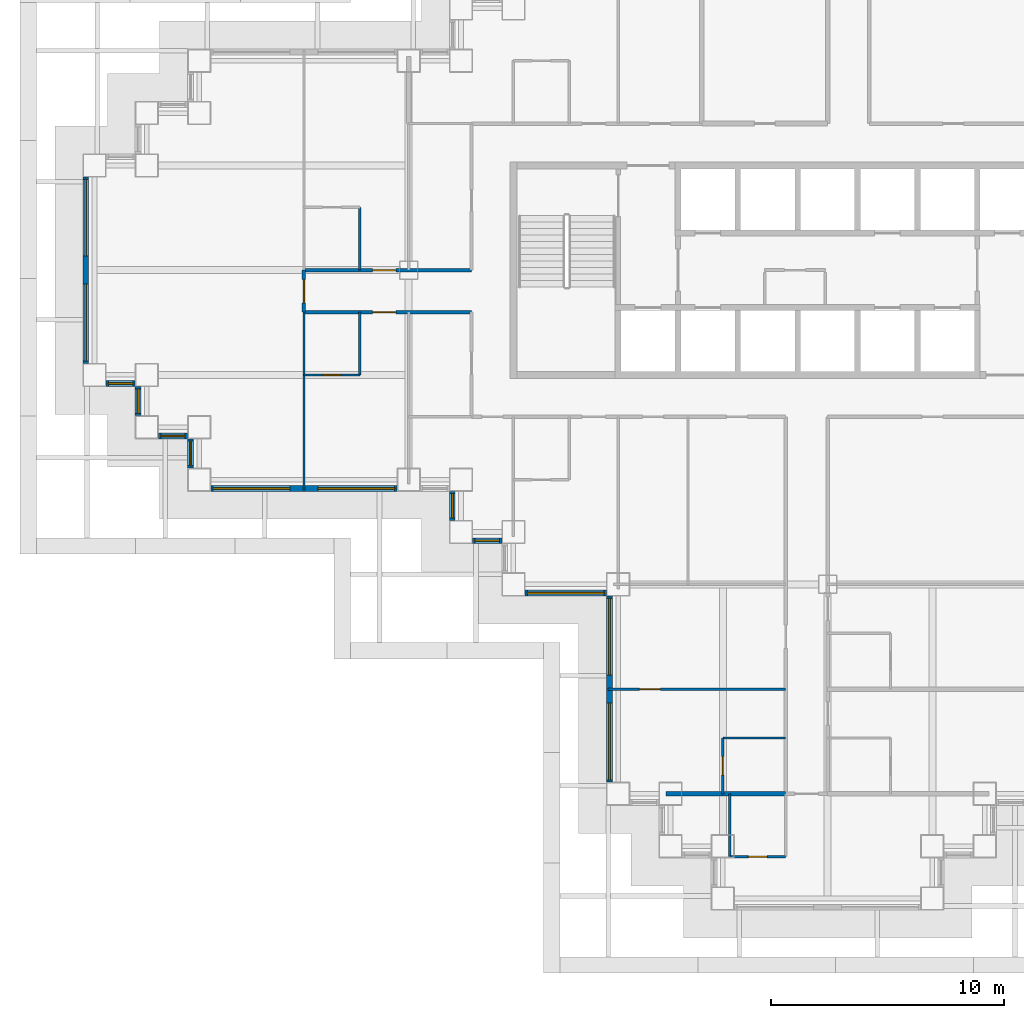
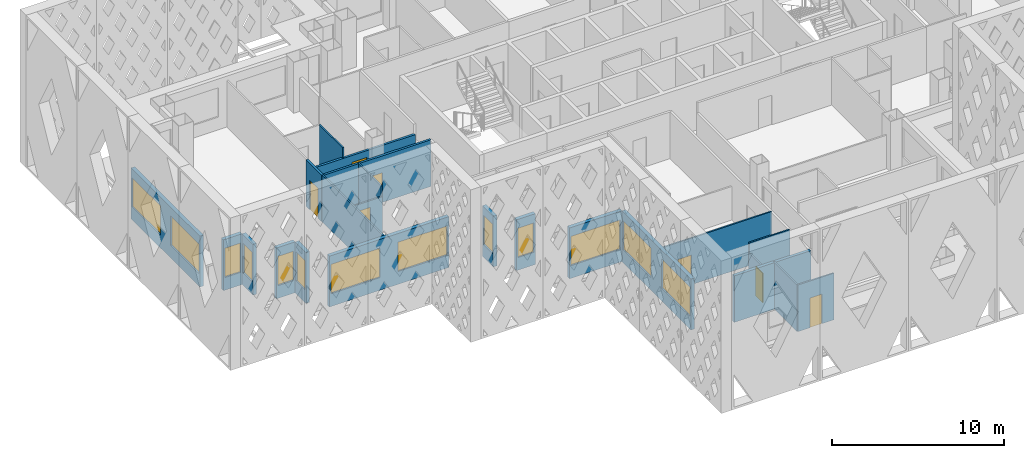
# One storey, part 3 of 19: 23 walls, 13 windows, 7 doors, 20 openings.
"""IFC4 building model written with IfcOpenShell, lengths in metres."""

import ifcopenshell
import ifcopenshell.guid

model = None  # the IFC model being written
_history = None  # IfcOwnerHistory: only IFC2X3 demands one
_inside = {}  # id of a spatial element -> (the spatial element, [elements in it])
_under = {}  # id of a project, library or spatial element -> (it, [spatial elements below it])
_declared = {}  # id of a project -> (the project, [libraries it declares])
_typed = {}  # id of a type object -> (the type object, [elements of that type])
_made_of = {}  # id of a material, layer set ... -> (it, [elements and type objects made of it])


def new_model(schema):
    """Start an empty IFC model of exactly this schema.

    Asked for "IFC4X3", IfcOpenShell would pick the latest addendum, in which some entities
    have other attributes; the version numbers below select the first issue.
    IFC2X3 requires an IfcOwnerHistory on every rooted entity: one is made here for all.
    """
    global model, _history
    if schema == "IFC4X3":
        model = ifcopenshell.file(schema_version=(4, 3, 0, 0))
    else:
        model = ifcopenshell.file(schema=schema)
    _inside.clear()
    _under.clear()
    _declared.clear()
    _typed.clear()
    _made_of.clear()
    _history = None
    if model.schema == "IFC2X3":
        org = make("IfcOrganization", Name="unknown")
        user = make(
            "IfcPersonAndOrganization",
            ThePerson=make("IfcPerson", FamilyName="unknown"),
            TheOrganization=org,
        )
        app = make(
            "IfcApplication",
            ApplicationDeveloper=org,
            Version="unknown",
            ApplicationFullName="unknown",
            ApplicationIdentifier="unknown",
        )
        _history = make(
            "IfcOwnerHistory",
            OwningUser=user,
            OwningApplication=app,
            ChangeAction="ADDED",
            CreationDate=0,
        )
    return model


def make(cls, **values):
    """One entity of the class cls with the attributes given. An attribute that is None is left unset."""
    return model.create_entity(
        cls, **{name: value for name, value in values.items() if value is not None}
    )


def rooted(cls, **values):
    """An entity with a GlobalId (a new one), such as an element, a storey or a relation."""
    return make(cls, GlobalId=ifcopenshell.guid.new(), OwnerHistory=_history, **values)


def si_unit(unit_type, name, prefix=None):
    """IfcSIUnit, for example si_unit("LENGTHUNIT", "METRE", prefix="MILLI")."""
    return make("IfcSIUnit", UnitType=unit_type, Prefix=prefix, Name=name)


def assignment(units):
    """IfcUnitAssignment: the units of a project."""
    return None if units is None else make("IfcUnitAssignment", Units=units)


def point(xyz):
    """IfcCartesianPoint."""
    return None if xyz is None else make("IfcCartesianPoint", Coordinates=xyz)


def direction(xyz):
    """IfcDirection."""
    return None if xyz is None else make("IfcDirection", DirectionRatios=xyz)


def frame(location, z_axis=None, x_axis=None):
    """IfcAxis2Placement3D, a coordinate frame: its origin and axes. An axis left out is left unset."""
    return make(
        "IfcAxis2Placement3D",
        Location=point(location),
        Axis=direction(z_axis),
        RefDirection=direction(x_axis),
    )


def frame_2d(location, x_axis=None):
    """IfcAxis2Placement2D, a coordinate frame in the plane: its origin and x axis."""
    return make(
        "IfcAxis2Placement2D", Location=point(location), RefDirection=direction(x_axis)
    )


def origin():
    """The frame at (0, 0, 0) with its axes left unset."""
    return frame((0.0, 0.0, 0.0))


def place(relative_to, where):
    """IfcLocalPlacement: puts the frame where relative to a parent placement (None: the world)."""
    return make(
        "IfcLocalPlacement", PlacementRelTo=relative_to, RelativePlacement=where
    )


def context(
    kind, dimensions, precision=None, world=None, true_north=None, identifier=None
):
    """IfcGeometricRepresentationContext, for example the 3D "Model" context."""
    return make(
        "IfcGeometricRepresentationContext",
        ContextIdentifier=identifier,
        ContextType=kind,
        CoordinateSpaceDimension=dimensions,
        Precision=precision,
        WorldCoordinateSystem=world,
        TrueNorth=true_north,
    )


def subcontext(parent, identifier, kind, view, scale=None):
    """IfcGeometricRepresentationSubContext, for example "Body" below "Model"."""
    return make(
        "IfcGeometricRepresentationSubContext",
        ContextIdentifier=identifier,
        ContextType=kind,
        ParentContext=parent,
        TargetScale=scale,
        TargetView=view,
    )


def project(units=None, contexts=None):
    """IfcProject with its units and contexts."""
    return rooted(
        "IfcProject",
        Name="project",
        RepresentationContexts=contexts,
        UnitsInContext=assignment(units),
    )


def spatial(cls, under=None, at=None, **own):
    """A site, building, storey or space (cls), placed at a placement, below another one or the project."""
    s = rooted(cls, ObjectPlacement=at, **own)
    if under is not None:
        _under.setdefault(under.id(), (under, []))[1].append(s)
    return s


def profile(cls, at=None, kind="AREA", **sizes):
    """A parametric profile (cls). Its sizes go by their IFC names, for example OverallWidth=200.0."""
    return make(cls, ProfileType=kind, Position=at, **sizes)


def rectangle(**sizes):
    """IfcRectangleProfileDef."""
    return profile("IfcRectangleProfileDef", **sizes)


def extrude(swept, where, along, depth):
    """IfcExtrudedAreaSolid: the profile swept, set in the frame where, extruded along a direction by depth."""
    return make(
        "IfcExtrudedAreaSolid",
        SweptArea=swept,
        Position=where,
        ExtrudedDirection=direction(along),
        Depth=depth,
    )


def shape(context_of_items, identifier, shape_type, items):
    """IfcShapeRepresentation: the items that make up one representation, for example the "Body"."""
    return make(
        "IfcShapeRepresentation",
        ContextOfItems=context_of_items,
        RepresentationIdentifier=identifier,
        RepresentationType=shape_type,
        Items=items,
    )


def material(Name=None, Category=None):
    """IfcMaterial."""
    return make("IfcMaterial", Name=Name, Category=Category)


def layer(
    of_material, thickness, ventilated=None, Name=None, Category=None, Priority=None
):
    """IfcMaterialLayer: one layer of a wall or slab, of a material (None: an air gap)."""
    return make(
        "IfcMaterialLayer",
        Material=of_material,
        LayerThickness=thickness,
        IsVentilated=ventilated,
        Name=Name,
        Category=Category,
        Priority=Priority,
    )


def layer_set(layers, Name=None):
    """IfcMaterialLayerSet."""
    return make("IfcMaterialLayerSet", MaterialLayers=layers, LayerSetName=Name)


def made_of(thing, what):
    """Note that an element or type object is made of a material, layer set ...; save() writes the relation."""
    if what is not None:
        _made_of.setdefault(what.id(), (what, []))[1].append(thing)
    return thing


def type_object(cls, material=None, **own):
    """A type object (cls), such as IfcWallType, which elements share."""
    return made_of(rooted(cls, **own), material)


def element(
    cls,
    number,
    at=None,
    inside=None,
    cuts=None,
    type_object=None,
    material=None,
    context=None,
    identifier="Body",
    shape_type=None,
    held_by="IfcProductDefinitionShape",
    body=None,
    shapes=None,
    **own,
):
    """One element of the class cls, such as IfcWall. Its Tag is "e" and its number.

    at: its placement. inside: the storey or other place that contains it. cuts: it is an
    opening in that element (IfcRelVoidsElement). A single representation is given by context,
    identifier, shape_type and body (its items); several are given by shapes. held_by: the class
    of the entity that holds the representations. save() writes the other relations.
    """
    e = rooted(cls, Tag="e%d" % number, ObjectPlacement=at, **own)
    if body is not None:
        shapes = [shape(context, identifier, shape_type, body)]
    if shapes is not None:
        e.Representation = make(held_by, Representations=shapes)
    if inside is not None:
        _inside.setdefault(inside.id(), (inside, []))[1].append(e)
    if cuts is not None:
        rooted(
            "IfcRelVoidsElement", RelatingBuildingElement=cuts, RelatedOpeningElement=e
        )
    if type_object is not None:
        _typed.setdefault(type_object.id(), (type_object, []))[1].append(e)
    return made_of(e, material)


def fill(opening, filler):
    """IfcRelFillsElement: the door or window that sits in an opening."""
    return rooted(
        "IfcRelFillsElement",
        RelatingOpeningElement=opening,
        RelatedBuildingElement=filler,
    )


def aggregate(whole, parts):
    """IfcRelAggregates: a whole, such as a stair, and the parts it consists of."""
    return rooted("IfcRelAggregates", RelatingObject=whole, RelatedObjects=parts)


def save(model, path):
    """Write the relations noted so far, then the file.

    IfcRelAggregates (storeys below a building ...), IfcRelContainedInSpatialStructure (elements
    in a storey), IfcRelDefinesByType, IfcRelAssociatesMaterial and IfcRelDeclares: one each for
    every whole, place, type object, material and project.
    """
    for whole, parts in _under.values():
        aggregate(whole, parts)
    for where, things in _inside.values():
        rooted(
            "IfcRelContainedInSpatialStructure",
            RelatedElements=things,
            RelatingStructure=where,
        )
    for kind, things in _typed.values():
        rooted("IfcRelDefinesByType", RelatedObjects=things, RelatingType=kind)
    for what, things in _made_of.values():
        rooted("IfcRelAssociatesMaterial", RelatedObjects=things, RelatingMaterial=what)
    for by, libraries in _declared.values():
        rooted("IfcRelDeclares", RelatingContext=by, RelatedDefinitions=libraries)
    model.write(path)


model = new_model("IFC4")

# Units and contexts
model_context = context("Model", 3, precision=1e-05, world=origin(), true_north=direction((0.0, 1.0)))
body_context = subcontext(model_context, "Body", "Model", "MODEL_VIEW")
ifc_project = project(units=[si_unit("LENGTHUNIT", "METRE"), si_unit("AREAUNIT", "SQUARE_METRE"), si_unit("VOLUMEUNIT", "CUBIC_METRE"), si_unit("PLANEANGLEUNIT", "RADIAN"), si_unit("MASSUNIT", "GRAM", prefix="KILO")], contexts=[model_context])

# Site, building, storey
site_placement = place(None, origin())
site = spatial("IfcSite", under=ifc_project, at=site_placement, CompositionType="ELEMENT")
building_placement = place(site_placement, origin())
building = spatial("IfcBuilding", under=site, at=building_placement, Name="Caravel Reach Hotel and Residences", CompositionType="ELEMENT")
storey_placement = place(building_placement, frame((0.0, 0.0, 63.60009765625)))
storey = spatial("IfcBuildingStorey", under=building, at=storey_placement, Name="L14", CompositionType="ELEMENT", Elevation=63.60009765625)

# Wall, opening, door
ifc_material_1 = material(Name="Gypsum board on steel stud", Category="steel")
ifc_layer_1 = layer(ifc_material_1, 0.10009765625)
ifc_layer_set_1 = layer_set([ifc_layer_1], Name="Bathroom pod wall 100 mm")
wall_type_1 = type_object("IfcWallType", Name="Bathroom pod wall 100 mm", PredefinedType="PARTITIONING", material=ifc_layer_set_1)
wall_1_placement = place(storey_placement, frame((27.300048828125, 1.800048828125, 0.0), z_axis=(0.0, 0.0, 1.0), x_axis=(1.0, 0.0, 0.0)))
wall_1 = element("IfcWall", 1, at=wall_1_placement, inside=storey, type_object=wall_type_1, Name="L14 wall w073", PredefinedType="PARTITIONING", context=body_context, shape_type="SweptSolid", body=[
    extrude(rectangle(XDim=2.39990234375, YDim=0.10009765625, at=frame_2d((1.199951171875, 0.0))), origin(), (0.0, 0.0, 1.0), 3.2998046875),
])
opening_1_placement = place(wall_1_placement, frame((0.800048828125, 0.0, 0.0)))
opening_1 = element("IfcOpeningElement", 2, at=opening_1_placement, cuts=wall_1, Name="Opening D14-041", PredefinedType="OPENING", context=body_context, shape_type="SweptSolid", body=[
    extrude(rectangle(XDim=0.800048828125, YDim=2.10009765625, at=frame_2d((0.39990234375, 1.050048828125))), frame((0.0, 0.06005859375, 0.0), z_axis=(0.0, -1.0, 0.0), x_axis=(1.0, 0.0, 0.0)), (0.0, 0.0, 1.0), 0.1201171875),
])
ifc_material_2 = material(Name="Timber and steel door leaf", Category="steel")
door_type_1 = type_object("IfcDoorType", Name="Bathroom door 800 x 2100", OperationType="SINGLE_SWING_LEFT", PredefinedType="DOOR", material=ifc_material_2)
door_1_placement = place(opening_1_placement, origin())
door_1 = element("IfcDoor", 3, at=door_1_placement, inside=storey, type_object=door_type_1, Name="door D14-041", OperationType="SINGLE_SWING_LEFT", OverallHeight=2.10009765625, OverallWidth=0.800048828125, PredefinedType="DOOR", context=body_context, shape_type="SweptSolid", body=[
    extrude(rectangle(XDim=0.800048828125, YDim=2.10009765625, at=frame_2d((0.39990234375, 1.050048828125))), frame((0.0, 0.02490234375, 0.0), z_axis=(0.0, -1.0, 0.0), x_axis=(1.0, 0.0, 0.0)), (0.0, 0.0, 1.0), 0.050048828125),
])
fill(opening_1, door_1)

wall_2_placement = place(storey_placement, frame((9.0, 22.5, 0.0), z_axis=(0.0, 0.0, 1.0), x_axis=(1.0, 0.0, 0.0)))
wall_2 = element("IfcWall", 4, at=wall_2_placement, inside=storey, type_object=wall_type_1, Name="L14 wall w077", PredefinedType="PARTITIONING", context=body_context, shape_type="SweptSolid", body=[
    extrude(rectangle(XDim=2.39990234375, YDim=0.10009765625, at=frame_2d((1.199951171875, 0.0))), origin(), (0.0, 0.0, 1.0), 2.579833984375),
])
opening_2_placement = place(wall_2_placement, frame((0.800048828125, 0.0, 0.0)))
opening_2 = element("IfcOpeningElement", 5, at=opening_2_placement, cuts=wall_2, Name="Opening D14-016", PredefinedType="OPENING", context=body_context, shape_type="SweptSolid", body=[
    extrude(rectangle(XDim=0.800048828125, YDim=2.10009765625, at=frame_2d((0.39990234375, 1.050048828125))), frame((0.0, 0.06005859375, 0.0), z_axis=(0.0, -1.0, 0.0), x_axis=(1.0, 0.0, 0.0)), (0.0, 0.0, 1.0), 0.1201171875),
])
door_2_placement = place(opening_2_placement, origin())
door_2 = element("IfcDoor", 6, at=door_2_placement, inside=storey, type_object=door_type_1, Name="door D14-016", OperationType="SINGLE_SWING_LEFT", OverallHeight=2.10009765625, OverallWidth=0.800048828125, PredefinedType="DOOR", context=body_context, shape_type="SweptSolid", body=[
    extrude(rectangle(XDim=0.800048828125, YDim=2.10009765625, at=frame_2d((0.39990234375, 1.050048828125))), frame((0.0, 0.02490234375, 0.0), z_axis=(0.0, -1.0, 0.0), x_axis=(1.0, 0.0, 0.0)), (0.0, 0.0, 1.0), 0.050048828125),
])
fill(opening_2, door_2)

# Walls
for number, where, z_axis, x_axis, name in (
    (7, (27.0, 6.89990234375, 0.0), (0.0, 0.0, 1.0), (1.0, 0.0, 0.0), "L14 wall w087"),
    (8, (11.39990234375, 27.0, 0.0), (0.0, 0.0, 1.0), (0.0, 1.0, 0.0), "L14 wall w088"),
    (9, (11.39990234375, 22.5, 0.0), (0.0, 0.0, 1.0), (0.0, 1.0, 0.0), "L14 wall w089"),
):
    element("IfcWall", number, at=place(storey_placement, frame(where, z_axis=z_axis, x_axis=x_axis)), inside=storey, type_object=wall_type_1, Name=name, PredefinedType="PARTITIONING", context=body_context, shape_type="SweptSolid", body=[
        extrude(rectangle(XDim=2.699951171875, YDim=0.10009765625, at=frame_2d((1.35009765625, 0.0))), origin(), (0.0, 0.0, 1.0), 3.2998046875),
    ])

# Wall, opening, door
wall_3_placement = place(storey_placement, frame((27.0, 4.5, 0.0), z_axis=(0.0, 0.0, 1.0), x_axis=(0.0, 1.0, 0.0)))
wall_3 = element("IfcWall", 10, at=wall_3_placement, inside=storey, type_object=wall_type_1, Name="L14 wall w093", PredefinedType="PARTITIONING", context=body_context, shape_type="SweptSolid", body=[
    extrude(rectangle(XDim=2.39990234375, YDim=0.10009765625, at=frame_2d((1.199951171875, 0.0))), origin(), (0.0, 0.0, 1.0), 2.579833984375),
])
opening_3_placement = place(wall_3_placement, frame((0.800048828125, 0.0, 0.0)))
opening_3 = element("IfcOpeningElement", 11, at=opening_3_placement, cuts=wall_3, Name="Opening D14-032", PredefinedType="OPENING", context=body_context, shape_type="SweptSolid", body=[
    extrude(rectangle(XDim=0.800048828125, YDim=2.10009765625, at=frame_2d((0.39990234375, 1.050048828125))), frame((0.0, 0.06005859375, 0.0), z_axis=(0.0, -1.0, 0.0), x_axis=(1.0, 0.0, 0.0)), (0.0, 0.0, 1.0), 0.1201171875),
])
door_3_placement = place(opening_3_placement, origin())
door_3 = element("IfcDoor", 12, at=door_3_placement, inside=storey, type_object=door_type_1, Name="door D14-032", OperationType="SINGLE_SWING_LEFT", OverallHeight=2.10009765625, OverallWidth=0.800048828125, PredefinedType="DOOR", context=body_context, shape_type="SweptSolid", body=[
    extrude(rectangle(XDim=0.800048828125, YDim=2.10009765625, at=frame_2d((0.39990234375, 1.050048828125))), frame((0.0, 0.02490234375, 0.0), z_axis=(0.0, -1.0, 0.0), x_axis=(1.0, 0.0, 0.0)), (0.0, 0.0, 1.0), 0.050048828125),
])
fill(opening_3, door_3)

# Wall
wall_4_placement = place(storey_placement, frame((27.300048828125, 1.800048828125, 0.0), z_axis=(0.0, 0.0, 1.0), x_axis=(0.0, 1.0, 0.0)))
element("IfcWall", 13, at=wall_4_placement, inside=storey, type_object=wall_type_1, Name="L14 wall w094", PredefinedType="PARTITIONING", context=body_context, shape_type="SweptSolid", body=[
    extrude(rectangle(XDim=2.699951171875, YDim=0.10009765625, at=frame_2d((1.35009765625, 0.0))), origin(), (0.0, 0.0, 1.0), 3.2998046875),
])

# Wall, opening, door
ifc_material_3 = material(Name="Gypsum board on steel stud, fire-rated", Category="steel")
ifc_layer_2 = layer(ifc_material_3, 0.14990234375)
ifc_layer_set_2 = layer_set([ifc_layer_2], Name="Corridor wall 150 mm EI 60")
wall_type_2 = type_object("IfcWallType", Name="Corridor wall 150 mm EI 60", PredefinedType="PARTITIONING", material=ifc_layer_set_2)
wall_5_placement = place(storey_placement, frame((9.0, 25.199951171875, 0.0), z_axis=(0.0, 0.0, 1.0), x_axis=(1.0, 0.0, 0.0)))
wall_5 = element("IfcWall", 14, at=wall_5_placement, inside=storey, type_object=wall_type_2, Name="L14 wall w007", PredefinedType="PARTITIONING", context=body_context, shape_type="SweptSolid", body=[
    extrude(rectangle(XDim=7.199951171875, YDim=0.14990234375, at=frame_2d((3.60009765625, 0.0))), origin(), (0.0, 0.0, 1.0), 3.2998046875),
])
opening_4_placement = place(wall_5_placement, frame((2.949951171875, 0.0, 0.0)))
opening_4 = element("IfcOpeningElement", 15, at=opening_4_placement, cuts=wall_5, Name="Opening D14-015", PredefinedType="OPENING", context=body_context, shape_type="SweptSolid", body=[
    extrude(rectangle(XDim=1.0, YDim=2.10009765625, at=frame_2d((0.5, 1.050048828125))), frame((0.0, 0.0849609375, 0.0), z_axis=(0.0, -1.0, 0.0), x_axis=(1.0, 0.0, 0.0)), (0.0, 0.0, 1.0), 0.169921875),
])
ifc_material_4 = material(Name="Steel fire door leaf", Category="steel")
door_type_2 = type_object("IfcDoorType", Name="Guest room door 1000 x 2100 EI 30", OperationType="SINGLE_SWING_LEFT", PredefinedType="DOOR", material=ifc_material_4)
door_4_placement = place(opening_4_placement, origin())
door_4 = element("IfcDoor", 16, at=door_4_placement, inside=storey, type_object=door_type_2, Name="door D14-015", OperationType="SINGLE_SWING_RIGHT", OverallHeight=2.10009765625, OverallWidth=1.0, PredefinedType="DOOR", context=body_context, shape_type="SweptSolid", body=[
    extrude(rectangle(XDim=1.0, YDim=2.10009765625, at=frame_2d((0.5, 1.050048828125))), frame((0.0, 0.02490234375, 0.0), z_axis=(0.0, -1.0, 0.0), x_axis=(1.0, 0.0, 0.0)), (0.0, 0.0, 1.0), 0.050048828125),
])
fill(opening_4, door_4)

wall_6_placement = place(storey_placement, frame((9.0, 27.0, 0.0), z_axis=(0.0, 0.0, 1.0), x_axis=(1.0, 0.0, 0.0)))
wall_6 = element("IfcWall", 17, at=wall_6_placement, inside=storey, type_object=wall_type_2, Name="L14 wall w010", PredefinedType="PARTITIONING", context=body_context, shape_type="SweptSolid", body=[
    extrude(rectangle(XDim=7.199951171875, YDim=0.14990234375, at=frame_2d((3.60009765625, 0.0))), origin(), (0.0, 0.0, 1.0), 2.579833984375),
])
opening_5_placement = place(wall_6_placement, frame((2.949951171875, 0.0, 0.0)))
opening_5 = element("IfcOpeningElement", 18, at=opening_5_placement, cuts=wall_6, Name="Opening D14-017", PredefinedType="OPENING", context=body_context, shape_type="SweptSolid", body=[
    extrude(rectangle(XDim=1.0, YDim=2.10009765625, at=frame_2d((0.5, 1.050048828125))), frame((0.0, 0.0849609375, 0.0), z_axis=(0.0, -1.0, 0.0), x_axis=(1.0, 0.0, 0.0)), (0.0, 0.0, 1.0), 0.169921875),
])
door_5_placement = place(opening_5_placement, origin())
door_5 = element("IfcDoor", 19, at=door_5_placement, inside=storey, type_object=door_type_2, Name="door D14-017", OperationType="SINGLE_SWING_RIGHT", OverallHeight=2.10009765625, OverallWidth=1.0, PredefinedType="DOOR", context=body_context, shape_type="SweptSolid", body=[
    extrude(rectangle(XDim=1.0, YDim=2.10009765625, at=frame_2d((0.5, 1.050048828125))), frame((0.0, 0.02490234375, 0.0), z_axis=(0.0, -1.0, 0.0), x_axis=(1.0, 0.0, 0.0)), (0.0, 0.0, 1.0), 0.050048828125),
])
fill(opening_5, door_5)

wall_7_placement = place(storey_placement, frame((9.0, 25.199951171875, 0.0), z_axis=(0.0, 0.0, 1.0), x_axis=(0.0, 1.0, 0.0)))
wall_7 = element("IfcWall", 20, at=wall_7_placement, inside=storey, type_object=wall_type_2, Name="L14 wall w037", PredefinedType="PARTITIONING", context=body_context, shape_type="SweptSolid", body=[
    extrude(rectangle(XDim=1.800048828125, YDim=0.14990234375, at=frame_2d((0.89990234375, 0.0))), origin(), (0.0, 0.0, 1.0), 3.2998046875),
])
opening_6_placement = place(wall_7_placement, frame((0.39990234375, 0.0, 0.0)))
opening_6 = element("IfcOpeningElement", 21, at=opening_6_placement, cuts=wall_7, Name="Opening D14-037", PredefinedType="OPENING", context=body_context, shape_type="SweptSolid", body=[
    extrude(rectangle(XDim=1.0, YDim=2.10009765625, at=frame_2d((0.5, 1.050048828125))), frame((0.0, 0.0849609375, 0.0), z_axis=(0.0, -1.0, 0.0), x_axis=(1.0, 0.0, 0.0)), (0.0, 0.0, 1.0), 0.169921875),
])
door_6_placement = place(opening_6_placement, origin())
door_6 = element("IfcDoor", 22, at=door_6_placement, inside=storey, type_object=door_type_2, Name="door D14-037", OperationType="SINGLE_SWING_RIGHT", OverallHeight=2.10009765625, OverallWidth=1.0, PredefinedType="DOOR", context=body_context, shape_type="SweptSolid", body=[
    extrude(rectangle(XDim=1.0, YDim=2.10009765625, at=frame_2d((0.5, 1.050048828125))), frame((0.0, 0.02490234375, 0.0), z_axis=(0.0, -1.0, 0.0), x_axis=(1.0, 0.0, 0.0)), (0.0, 0.0, 1.0), 0.050048828125),
])
fill(opening_6, door_6)

# Wall, openings, windows
ifc_material_5 = material(Name="Insulated rainscreen wall, aluminium cladding", Category="aluminium")
ifc_layer_3 = layer(ifc_material_5, 0.25)
ifc_layer_set_3 = layer_set([ifc_layer_3], Name="EW1 Tower rainscreen wall")
wall_type_3 = type_object("IfcWallType", Name="EW1 Tower rainscreen wall", PredefinedType="SOLIDWALL", material=ifc_layer_set_3)
wall_8_placement = place(storey_placement, frame((-0.375, 31.0, 0.0), z_axis=(0.0, 0.0, 1.0), x_axis=(0.0, -1.0, 0.0)))
wall_8 = element("IfcWall", 23, at=wall_8_placement, inside=storey, type_object=wall_type_3, Name="External wall L14 W50.1", PredefinedType="SOLIDWALL", context=body_context, shape_type="SweptSolid", body=[
    extrude(rectangle(XDim=8.0, YDim=0.25, at=frame_2d((4.0, 0.0))), origin(), (0.0, 0.0, 1.0), 3.599853515625),
])
opening_7_placement = place(wall_8_placement, frame((0.10009765625, 0.0, 0.89990234375)))
opening_7 = element("IfcOpeningElement", 24, at=opening_7_placement, cuts=wall_8, Name="Opening WN4", PredefinedType="OPENING", context=body_context, shape_type="SweptSolid", body=[
    extrude(rectangle(XDim=3.300048828125, YDim=2.080078125, at=frame_2d((1.64990234375, 1.0400390625))), frame((0.0, 0.135009765625, 0.0), z_axis=(0.0, -1.0, 0.0), x_axis=(1.0, 0.0, 0.0)), (0.0, 0.0, 1.0), 0.27001953125),
])
opening_8_placement = place(wall_8_placement, frame((4.60009765625, 0.0, 0.89990234375)))
opening_8 = element("IfcOpeningElement", 25, at=opening_8_placement, cuts=wall_8, Name="Opening WN4", PredefinedType="OPENING", context=body_context, shape_type="SweptSolid", body=[
    extrude(rectangle(XDim=3.300048828125, YDim=2.080078125, at=frame_2d((1.64990234375, 1.0400390625))), frame((0.0, 0.135009765625, 0.0), z_axis=(0.0, -1.0, 0.0), x_axis=(1.0, 0.0, 0.0)), (0.0, 0.0, 1.0), 0.27001953125),
])
ifc_material_6 = material(Name="Dark low-e glazing in black aluminium frame", Category="aluminium")
window_type_1 = type_object("IfcWindowType", Name="Hotel guest room window 3300 x 2080", PartitioningType="SINGLE_PANEL", PredefinedType="WINDOW", material=ifc_material_6)
window_1_placement = place(opening_7_placement, origin())
window_1 = element("IfcWindow", 26, at=window_1_placement, inside=storey, type_object=window_type_1, Name="Window L14 W50.1.1", OverallHeight=2.080078125, OverallWidth=3.300048828125, PartitioningType="SINGLE_PANEL", PredefinedType="WINDOW", context=body_context, shape_type="SweptSolid", body=[
    extrude(rectangle(XDim=3.300048828125, YDim=2.080078125, at=frame_2d((1.64990234375, 1.0400390625))), frame((0.0, 0.030029296875, 0.0), z_axis=(0.0, -1.0, 0.0), x_axis=(1.0, 0.0, 0.0)), (0.0, 0.0, 1.0), 0.06005859375),
])
fill(opening_7, window_1)
window_2_placement = place(opening_8_placement, origin())
window_2 = element("IfcWindow", 27, at=window_2_placement, inside=storey, type_object=window_type_1, Name="Window L14 W50.1.2", OverallHeight=2.080078125, OverallWidth=3.300048828125, PartitioningType="SINGLE_PANEL", PredefinedType="WINDOW", context=body_context, shape_type="SweptSolid", body=[
    extrude(rectangle(XDim=3.300048828125, YDim=2.080078125, at=frame_2d((1.64990234375, 1.0400390625))), frame((0.0, 0.030029296875, 0.0), z_axis=(0.0, -1.0, 0.0), x_axis=(1.0, 0.0, 0.0)), (0.0, 0.0, 1.0), 0.06005859375),
])
fill(opening_8, window_2)

# Wall, opening, window
wall_9_placement = place(storey_placement, frame((0.5, 22.125, 0.0), z_axis=(0.0, 0.0, 1.0), x_axis=(1.0, 0.0, 0.0)))
wall_9 = element("IfcWall", 28, at=wall_9_placement, inside=storey, type_object=wall_type_3, Name="External wall L14 S51.1", PredefinedType="SOLIDWALL", context=body_context, shape_type="SweptSolid", body=[
    extrude(rectangle(XDim=1.25, YDim=0.25, at=frame_2d((0.625, 0.0))), origin(), (0.0, 0.0, 1.0), 3.599853515625),
])
opening_9_placement = place(wall_9_placement, frame((0.10009765625, 0.0, 0.89990234375)))
opening_9 = element("IfcOpeningElement", 29, at=opening_9_placement, cuts=wall_9, Name="Opening WN3", PredefinedType="OPENING", context=body_context, shape_type="SweptSolid", body=[
    extrude(rectangle(XDim=1.050048828125, YDim=2.080078125, at=frame_2d((0.52490234375, 1.0400390625))), frame((0.0, 0.135009765625, 0.0), z_axis=(0.0, -1.0, 0.0), x_axis=(1.0, 0.0, 0.0)), (0.0, 0.0, 1.0), 0.27001953125),
])
ifc_material_7 = material(Name="Dark low-e glazing in black aluminium frame", Category="aluminium")
window_type_2 = type_object("IfcWindowType", Name="Hotel suite corner window 1050 x 2080", PartitioningType="SINGLE_PANEL", PredefinedType="WINDOW", material=ifc_material_7)
window_3_placement = place(opening_9_placement, origin())
window_3 = element("IfcWindow", 30, at=window_3_placement, inside=storey, type_object=window_type_2, Name="Window L14 S51.1.1", OverallHeight=2.080078125, OverallWidth=1.050048828125, PartitioningType="SINGLE_PANEL", PredefinedType="WINDOW", context=body_context, shape_type="SweptSolid", body=[
    extrude(rectangle(XDim=1.050048828125, YDim=2.080078125, at=frame_2d((0.52490234375, 1.0400390625))), frame((0.0, 0.030029296875, 0.0), z_axis=(0.0, -1.0, 0.0), x_axis=(1.0, 0.0, 0.0)), (0.0, 0.0, 1.0), 0.06005859375),
])
fill(opening_9, window_3)

wall_10_placement = place(storey_placement, frame((1.875, 22.0, 0.0), z_axis=(0.0, 0.0, 1.0), x_axis=(0.0, -1.0, 0.0)))
wall_10 = element("IfcWall", 31, at=wall_10_placement, inside=storey, type_object=wall_type_3, Name="External wall L14 W52.1", PredefinedType="SOLIDWALL", context=body_context, shape_type="SweptSolid", body=[
    extrude(rectangle(XDim=1.25, YDim=0.25, at=frame_2d((0.625, 0.0))), origin(), (0.0, 0.0, 1.0), 3.599853515625),
])
opening_10_placement = place(wall_10_placement, frame((0.10009765625, 0.0, 0.89990234375)))
opening_10 = element("IfcOpeningElement", 32, at=opening_10_placement, cuts=wall_10, Name="Opening WN3", PredefinedType="OPENING", context=body_context, shape_type="SweptSolid", body=[
    extrude(rectangle(XDim=1.050048828125, YDim=2.080078125, at=frame_2d((0.52490234375, 1.0400390625))), frame((0.0, 0.135009765625, 0.0), z_axis=(0.0, -1.0, 0.0), x_axis=(1.0, 0.0, 0.0)), (0.0, 0.0, 1.0), 0.27001953125),
])
window_4_placement = place(opening_10_placement, origin())
window_4 = element("IfcWindow", 33, at=window_4_placement, inside=storey, type_object=window_type_2, Name="Window L14 W52.1.1", OverallHeight=2.080078125, OverallWidth=1.050048828125, PartitioningType="SINGLE_PANEL", PredefinedType="WINDOW", context=body_context, shape_type="SweptSolid", body=[
    extrude(rectangle(XDim=1.050048828125, YDim=2.080078125, at=frame_2d((0.52490234375, 1.0400390625))), frame((0.0, 0.030029296875, 0.0), z_axis=(0.0, -1.0, 0.0), x_axis=(1.0, 0.0, 0.0)), (0.0, 0.0, 1.0), 0.06005859375),
])
fill(opening_10, window_4)

wall_11_placement = place(storey_placement, frame((2.75, 19.875, 0.0), z_axis=(0.0, 0.0, 1.0), x_axis=(1.0, 0.0, 0.0)))
wall_11 = element("IfcWall", 34, at=wall_11_placement, inside=storey, type_object=wall_type_3, Name="External wall L14 S53.1", PredefinedType="SOLIDWALL", context=body_context, shape_type="SweptSolid", body=[
    extrude(rectangle(XDim=1.25, YDim=0.25, at=frame_2d((0.625, 0.0))), origin(), (0.0, 0.0, 1.0), 3.599853515625),
])
opening_11_placement = place(wall_11_placement, frame((0.10009765625, 0.0, 0.89990234375)))
opening_11 = element("IfcOpeningElement", 35, at=opening_11_placement, cuts=wall_11, Name="Opening WN3", PredefinedType="OPENING", context=body_context, shape_type="SweptSolid", body=[
    extrude(rectangle(XDim=1.050048828125, YDim=2.080078125, at=frame_2d((0.52490234375, 1.0400390625))), frame((0.0, 0.135009765625, 0.0), z_axis=(0.0, -1.0, 0.0), x_axis=(1.0, 0.0, 0.0)), (0.0, 0.0, 1.0), 0.27001953125),
])
window_5_placement = place(opening_11_placement, origin())
window_5 = element("IfcWindow", 36, at=window_5_placement, inside=storey, type_object=window_type_2, Name="Window L14 S53.1.1", OverallHeight=2.080078125, OverallWidth=1.050048828125, PartitioningType="SINGLE_PANEL", PredefinedType="WINDOW", context=body_context, shape_type="SweptSolid", body=[
    extrude(rectangle(XDim=1.050048828125, YDim=2.080078125, at=frame_2d((0.52490234375, 1.0400390625))), frame((0.0, 0.030029296875, 0.0), z_axis=(0.0, -1.0, 0.0), x_axis=(1.0, 0.0, 0.0)), (0.0, 0.0, 1.0), 0.06005859375),
])
fill(opening_11, window_5)

wall_12_placement = place(storey_placement, frame((4.125, 19.75, 0.0), z_axis=(0.0, 0.0, 1.0), x_axis=(0.0, -1.0, 0.0)))
wall_12 = element("IfcWall", 37, at=wall_12_placement, inside=storey, type_object=wall_type_3, Name="External wall L14 W54.1", PredefinedType="SOLIDWALL", context=body_context, shape_type="SweptSolid", body=[
    extrude(rectangle(XDim=1.25, YDim=0.25, at=frame_2d((0.625, 0.0))), origin(), (0.0, 0.0, 1.0), 3.599853515625),
])
opening_12_placement = place(wall_12_placement, frame((0.10009765625, 0.0, 0.89990234375)))
opening_12 = element("IfcOpeningElement", 38, at=opening_12_placement, cuts=wall_12, Name="Opening WN3", PredefinedType="OPENING", context=body_context, shape_type="SweptSolid", body=[
    extrude(rectangle(XDim=1.050048828125, YDim=2.080078125, at=frame_2d((0.52490234375, 1.0400390625))), frame((0.0, 0.135009765625, 0.0), z_axis=(0.0, -1.0, 0.0), x_axis=(1.0, 0.0, 0.0)), (0.0, 0.0, 1.0), 0.27001953125),
])
window_6_placement = place(opening_12_placement, origin())
window_6 = element("IfcWindow", 39, at=window_6_placement, inside=storey, type_object=window_type_2, Name="Window L14 W54.1.1", OverallHeight=2.080078125, OverallWidth=1.050048828125, PartitioningType="SINGLE_PANEL", PredefinedType="WINDOW", context=body_context, shape_type="SweptSolid", body=[
    extrude(rectangle(XDim=1.050048828125, YDim=2.080078125, at=frame_2d((0.52490234375, 1.0400390625))), frame((0.0, 0.030029296875, 0.0), z_axis=(0.0, -1.0, 0.0), x_axis=(1.0, 0.0, 0.0)), (0.0, 0.0, 1.0), 0.06005859375),
])
fill(opening_12, window_6)

# Wall, openings, windows
wall_13_placement = place(storey_placement, frame((5.0, 17.625, 0.0), z_axis=(0.0, 0.0, 1.0), x_axis=(1.0, 0.0, 0.0)))
wall_13 = element("IfcWall", 40, at=wall_13_placement, inside=storey, type_object=wall_type_3, Name="External wall L14 S55.1", PredefinedType="SOLIDWALL", context=body_context, shape_type="SweptSolid", body=[
    extrude(rectangle(XDim=8.0, YDim=0.25, at=frame_2d((4.0, 0.0))), origin(), (0.0, 0.0, 1.0), 3.599853515625),
])
opening_13_placement = place(wall_13_placement, frame((0.10009765625, 0.0, 0.89990234375)))
opening_13 = element("IfcOpeningElement", 41, at=opening_13_placement, cuts=wall_13, Name="Opening WN4", PredefinedType="OPENING", context=body_context, shape_type="SweptSolid", body=[
    extrude(rectangle(XDim=3.300048828125, YDim=2.080078125, at=frame_2d((1.64990234375, 1.0400390625))), frame((0.0, 0.135009765625, 0.0), z_axis=(0.0, -1.0, 0.0), x_axis=(1.0, 0.0, 0.0)), (0.0, 0.0, 1.0), 0.27001953125),
])
opening_14_placement = place(wall_13_placement, frame((4.60009765625, 0.0, 0.89990234375)))
opening_14 = element("IfcOpeningElement", 42, at=opening_14_placement, cuts=wall_13, Name="Opening WN4", PredefinedType="OPENING", context=body_context, shape_type="SweptSolid", body=[
    extrude(rectangle(XDim=3.300048828125, YDim=2.080078125, at=frame_2d((1.64990234375, 1.0400390625))), frame((0.0, 0.135009765625, 0.0), z_axis=(0.0, -1.0, 0.0), x_axis=(1.0, 0.0, 0.0)), (0.0, 0.0, 1.0), 0.27001953125),
])
window_7_placement = place(opening_13_placement, origin())
window_7 = element("IfcWindow", 43, at=window_7_placement, inside=storey, type_object=window_type_1, Name="Window L14 S55.1.1", OverallHeight=2.080078125, OverallWidth=3.300048828125, PartitioningType="SINGLE_PANEL", PredefinedType="WINDOW", context=body_context, shape_type="SweptSolid", body=[
    extrude(rectangle(XDim=3.300048828125, YDim=2.080078125, at=frame_2d((1.64990234375, 1.0400390625))), frame((0.0, 0.030029296875, 0.0), z_axis=(0.0, -1.0, 0.0), x_axis=(1.0, 0.0, 0.0)), (0.0, 0.0, 1.0), 0.06005859375),
])
fill(opening_13, window_7)
window_8_placement = place(opening_14_placement, origin())
window_8 = element("IfcWindow", 44, at=window_8_placement, inside=storey, type_object=window_type_1, Name="Window L14 S55.1.2", OverallHeight=2.080078125, OverallWidth=3.300048828125, PartitioningType="SINGLE_PANEL", PredefinedType="WINDOW", context=body_context, shape_type="SweptSolid", body=[
    extrude(rectangle(XDim=3.300048828125, YDim=2.080078125, at=frame_2d((1.64990234375, 1.0400390625))), frame((0.0, 0.030029296875, 0.0), z_axis=(0.0, -1.0, 0.0), x_axis=(1.0, 0.0, 0.0)), (0.0, 0.0, 1.0), 0.06005859375),
])
fill(opening_14, window_8)

# Wall, opening, window
wall_14_placement = place(storey_placement, frame((15.375, 17.5, 0.0), z_axis=(0.0, 0.0, 1.0), x_axis=(0.0, -1.0, 0.0)))
wall_14 = element("IfcWall", 45, at=wall_14_placement, inside=storey, type_object=wall_type_3, Name="External wall L14 W56.1", PredefinedType="SOLIDWALL", context=body_context, shape_type="SweptSolid", body=[
    extrude(rectangle(XDim=1.25, YDim=0.25, at=frame_2d((0.625, 0.0))), origin(), (0.0, 0.0, 1.0), 3.599853515625),
])
opening_15_placement = place(wall_14_placement, frame((0.10009765625, 0.0, 0.89990234375)))
opening_15 = element("IfcOpeningElement", 46, at=opening_15_placement, cuts=wall_14, Name="Opening WN3", PredefinedType="OPENING", context=body_context, shape_type="SweptSolid", body=[
    extrude(rectangle(XDim=1.050048828125, YDim=2.080078125, at=frame_2d((0.52490234375, 1.0400390625))), frame((0.0, 0.135009765625, 0.0), z_axis=(0.0, -1.0, 0.0), x_axis=(1.0, 0.0, 0.0)), (0.0, 0.0, 1.0), 0.27001953125),
])
window_9_placement = place(opening_15_placement, origin())
window_9 = element("IfcWindow", 47, at=window_9_placement, inside=storey, type_object=window_type_2, Name="Window L14 W56.1.1", OverallHeight=2.080078125, OverallWidth=1.050048828125, PartitioningType="SINGLE_PANEL", PredefinedType="WINDOW", context=body_context, shape_type="SweptSolid", body=[
    extrude(rectangle(XDim=1.050048828125, YDim=2.080078125, at=frame_2d((0.52490234375, 1.0400390625))), frame((0.0, 0.030029296875, 0.0), z_axis=(0.0, -1.0, 0.0), x_axis=(1.0, 0.0, 0.0)), (0.0, 0.0, 1.0), 0.06005859375),
])
fill(opening_15, window_9)

wall_15_placement = place(storey_placement, frame((16.25, 15.375, 0.0), z_axis=(0.0, 0.0, 1.0), x_axis=(1.0, 0.0, 0.0)))
wall_15 = element("IfcWall", 48, at=wall_15_placement, inside=storey, type_object=wall_type_3, Name="External wall L14 S57.1", PredefinedType="SOLIDWALL", context=body_context, shape_type="SweptSolid", body=[
    extrude(rectangle(XDim=1.25, YDim=0.25, at=frame_2d((0.625, 0.0))), origin(), (0.0, 0.0, 1.0), 3.599853515625),
])
opening_16_placement = place(wall_15_placement, frame((0.10009765625, 0.0, 0.89990234375)))
opening_16 = element("IfcOpeningElement", 49, at=opening_16_placement, cuts=wall_15, Name="Opening WN3", PredefinedType="OPENING", context=body_context, shape_type="SweptSolid", body=[
    extrude(rectangle(XDim=1.050048828125, YDim=2.080078125, at=frame_2d((0.52490234375, 1.0400390625))), frame((0.0, 0.135009765625, 0.0), z_axis=(0.0, -1.0, 0.0), x_axis=(1.0, 0.0, 0.0)), (0.0, 0.0, 1.0), 0.27001953125),
])
window_10_placement = place(opening_16_placement, origin())
window_10 = element("IfcWindow", 50, at=window_10_placement, inside=storey, type_object=window_type_2, Name="Window L14 S57.1.1", OverallHeight=2.080078125, OverallWidth=1.050048828125, PartitioningType="SINGLE_PANEL", PredefinedType="WINDOW", context=body_context, shape_type="SweptSolid", body=[
    extrude(rectangle(XDim=1.050048828125, YDim=2.080078125, at=frame_2d((0.52490234375, 1.0400390625))), frame((0.0, 0.030029296875, 0.0), z_axis=(0.0, -1.0, 0.0), x_axis=(1.0, 0.0, 0.0)), (0.0, 0.0, 1.0), 0.06005859375),
])
fill(opening_16, window_10)

wall_16_placement = place(storey_placement, frame((18.5, 13.125, 0.0), z_axis=(0.0, 0.0, 1.0), x_axis=(1.0, 0.0, 0.0)))
wall_16 = element("IfcWall", 51, at=wall_16_placement, inside=storey, type_object=wall_type_3, Name="External wall L14 S59.1", PredefinedType="SOLIDWALL", context=body_context, shape_type="SweptSolid", body=[
    extrude(rectangle(XDim=3.5, YDim=0.25, at=frame_2d((1.75, 0.0))), origin(), (0.0, 0.0, 1.0), 3.599853515625),
])
opening_17_placement = place(wall_16_placement, frame((0.10009765625, 0.0, 0.89990234375)))
opening_17 = element("IfcOpeningElement", 52, at=opening_17_placement, cuts=wall_16, Name="Opening WN4", PredefinedType="OPENING", context=body_context, shape_type="SweptSolid", body=[
    extrude(rectangle(XDim=3.300048828125, YDim=2.080078125, at=frame_2d((1.64990234375, 1.0400390625))), frame((0.0, 0.135009765625, 0.0), z_axis=(0.0, -1.0, 0.0), x_axis=(1.0, 0.0, 0.0)), (0.0, 0.0, 1.0), 0.27001953125),
])
window_11_placement = place(opening_17_placement, origin())
window_11 = element("IfcWindow", 53, at=window_11_placement, inside=storey, type_object=window_type_1, Name="Window L14 S59.1.1", OverallHeight=2.080078125, OverallWidth=3.300048828125, PartitioningType="SINGLE_PANEL", PredefinedType="WINDOW", context=body_context, shape_type="SweptSolid", body=[
    extrude(rectangle(XDim=3.300048828125, YDim=2.080078125, at=frame_2d((1.64990234375, 1.0400390625))), frame((0.0, 0.030029296875, 0.0), z_axis=(0.0, -1.0, 0.0), x_axis=(1.0, 0.0, 0.0)), (0.0, 0.0, 1.0), 0.06005859375),
])
fill(opening_17, window_11)

# Wall, openings, windows
wall_17_placement = place(storey_placement, frame((22.125, 13.0, 0.0), z_axis=(0.0, 0.0, 1.0), x_axis=(0.0, -1.0, 0.0)))
wall_17 = element("IfcWall", 54, at=wall_17_placement, inside=storey, type_object=wall_type_3, Name="External wall L14 W60.1", PredefinedType="SOLIDWALL", context=body_context, shape_type="SweptSolid", body=[
    extrude(rectangle(XDim=8.0, YDim=0.25, at=frame_2d((4.0, 0.0))), origin(), (0.0, 0.0, 1.0), 3.599853515625),
])
opening_18_placement = place(wall_17_placement, frame((0.10009765625, 0.0, 0.89990234375)))
opening_18 = element("IfcOpeningElement", 55, at=opening_18_placement, cuts=wall_17, Name="Opening WN4", PredefinedType="OPENING", context=body_context, shape_type="SweptSolid", body=[
    extrude(rectangle(XDim=3.300048828125, YDim=2.080078125, at=frame_2d((1.64990234375, 1.0400390625))), frame((0.0, 0.135009765625, 0.0), z_axis=(0.0, -1.0, 0.0), x_axis=(1.0, 0.0, 0.0)), (0.0, 0.0, 1.0), 0.27001953125),
])
opening_19_placement = place(wall_17_placement, frame((4.60009765625, 0.0, 0.89990234375)))
opening_19 = element("IfcOpeningElement", 56, at=opening_19_placement, cuts=wall_17, Name="Opening WN4", PredefinedType="OPENING", context=body_context, shape_type="SweptSolid", body=[
    extrude(rectangle(XDim=3.300048828125, YDim=2.080078125, at=frame_2d((1.64990234375, 1.0400390625))), frame((0.0, 0.135009765625, 0.0), z_axis=(0.0, -1.0, 0.0), x_axis=(1.0, 0.0, 0.0)), (0.0, 0.0, 1.0), 0.27001953125),
])
window_12_placement = place(opening_18_placement, origin())
window_12 = element("IfcWindow", 57, at=window_12_placement, inside=storey, type_object=window_type_1, Name="Window L14 W60.1.1", OverallHeight=2.080078125, OverallWidth=3.300048828125, PartitioningType="SINGLE_PANEL", PredefinedType="WINDOW", context=body_context, shape_type="SweptSolid", body=[
    extrude(rectangle(XDim=3.300048828125, YDim=2.080078125, at=frame_2d((1.64990234375, 1.0400390625))), frame((0.0, 0.030029296875, 0.0), z_axis=(0.0, -1.0, 0.0), x_axis=(1.0, 0.0, 0.0)), (0.0, 0.0, 1.0), 0.06005859375),
])
fill(opening_18, window_12)
window_13_placement = place(opening_19_placement, origin())
window_13 = element("IfcWindow", 58, at=window_13_placement, inside=storey, type_object=window_type_1, Name="Window L14 W60.1.2", OverallHeight=2.080078125, OverallWidth=3.300048828125, PartitioningType="SINGLE_PANEL", PredefinedType="WINDOW", context=body_context, shape_type="SweptSolid", body=[
    extrude(rectangle(XDim=3.300048828125, YDim=2.080078125, at=frame_2d((1.64990234375, 1.0400390625))), frame((0.0, 0.030029296875, 0.0), z_axis=(0.0, -1.0, 0.0), x_axis=(1.0, 0.0, 0.0)), (0.0, 0.0, 1.0), 0.06005859375),
])
fill(opening_19, window_13)

# Wall, opening, door
ifc_material_8 = material(Name="Gypsum board on steel stud", Category="steel")
ifc_layer_4 = layer(ifc_material_8, 0.10009765625)
ifc_layer_set_4 = layer_set([ifc_layer_4], Name="Partition 100 mm")
wall_type_4 = type_object("IfcWallType", Name="Partition 100 mm", PredefinedType="PARTITIONING", material=ifc_layer_set_4)
wall_18_placement = place(storey_placement, frame((22.06005859375, 9.0, 0.0), z_axis=(0.0, 0.0, 1.0), x_axis=(1.0, 0.0, 0.0)))
wall_18 = element("IfcWall", 59, at=wall_18_placement, inside=storey, type_object=wall_type_4, Name="L14 wall w050", PredefinedType="PARTITIONING", context=body_context, shape_type="SweptSolid", body=[
    extrude(rectangle(XDim=7.639892578125, YDim=0.10009765625, at=frame_2d((3.81982421875, 0.0))), origin(), (0.0, 0.0, 1.0), 3.2998046875),
])
opening_20_placement = place(wall_18_placement, frame((1.35009765625, 0.0, 0.0)))
opening_20 = element("IfcOpeningElement", 60, at=opening_20_placement, cuts=wall_18, Name="Opening D14-031", PredefinedType="OPENING", context=body_context, shape_type="SweptSolid", body=[
    extrude(rectangle(XDim=0.89990234375, YDim=2.10009765625, at=frame_2d((0.449951171875, 1.050048828125))), frame((0.0, 0.06005859375, 0.0), z_axis=(0.0, -1.0, 0.0), x_axis=(1.0, 0.0, 0.0)), (0.0, 0.0, 1.0), 0.1201171875),
])
ifc_material_9 = material(Name="Timber and steel door leaf", Category="steel")
door_type_3 = type_object("IfcDoorType", Name="Door 900 x 2100 timber", OperationType="SINGLE_SWING_LEFT", PredefinedType="DOOR", material=ifc_material_9)
door_7_placement = place(opening_20_placement, origin())
door_7 = element("IfcDoor", 61, at=door_7_placement, inside=storey, type_object=door_type_3, Name="door D14-031", OperationType="SINGLE_SWING_LEFT", OverallHeight=2.10009765625, OverallWidth=0.89990234375, PredefinedType="DOOR", context=body_context, shape_type="SweptSolid", body=[
    extrude(rectangle(XDim=0.89990234375, YDim=2.10009765625, at=frame_2d((0.449951171875, 1.050048828125))), frame((0.0, 0.02490234375, 0.0), z_axis=(0.0, -1.0, 0.0), x_axis=(1.0, 0.0, 0.0)), (0.0, 0.0, 1.0), 0.050048828125),
])
fill(opening_20, door_7)

# Walls
wall_19_placement = place(storey_placement, frame((9.0, 17.56005859375, 0.0), z_axis=(0.0, 0.0, 1.0), x_axis=(0.0, 1.0, 0.0)))
element("IfcWall", 62, at=wall_19_placement, inside=storey, type_object=wall_type_4, Name="L14 wall w065", PredefinedType="PARTITIONING", context=body_context, shape_type="SweptSolid", body=[
    extrude(rectangle(XDim=7.639892578125, YDim=0.10009765625, at=frame_2d((3.81982421875, 0.0))), origin(), (0.0, 0.0, 1.0), 3.2998046875),
])
ifc_material_10 = material(Name="Autoclaved aerated block wall")
ifc_layer_5 = layer(ifc_material_10, 0.199951171875)
ifc_layer_set_5 = layer_set([ifc_layer_5], Name="Party wall 200 mm EI 60")
wall_type_5 = type_object("IfcWallType", Name="Party wall 200 mm EI 60", PredefinedType="PARTITIONING", material=ifc_layer_set_5)
wall_20_placement = place(storey_placement, frame((24.56005859375, 4.5, 0.0), z_axis=(0.0, 0.0, 1.0), x_axis=(1.0, 0.0, 0.0)))
element("IfcWall", 63, at=wall_20_placement, inside=storey, type_object=wall_type_5, Name="L14 wall w067", PredefinedType="PARTITIONING", context=body_context, shape_type="SweptSolid", body=[
    extrude(rectangle(XDim=5.139892578125, YDim=0.199951171875, at=frame_2d((2.56982421875, 0.0))), origin(), (0.0, 0.0, 1.0), 3.2998046875),
])

save(model, "model.ifc")
